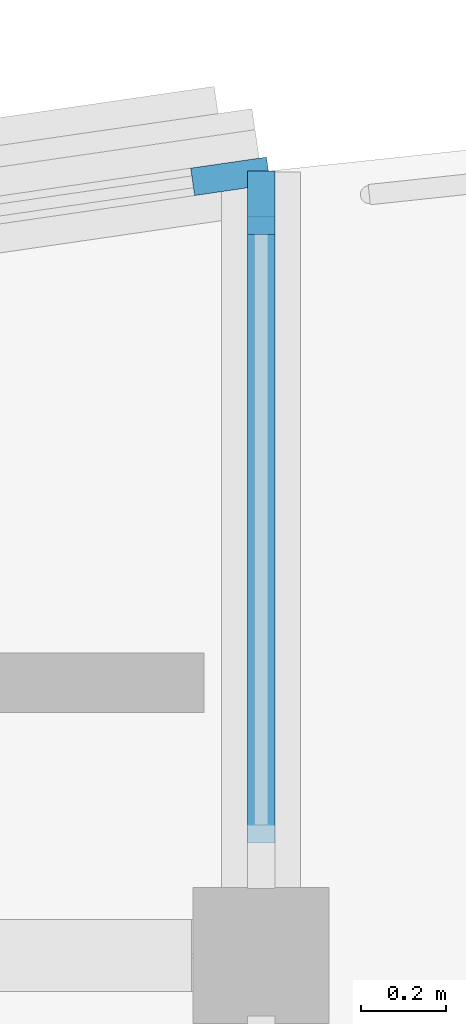
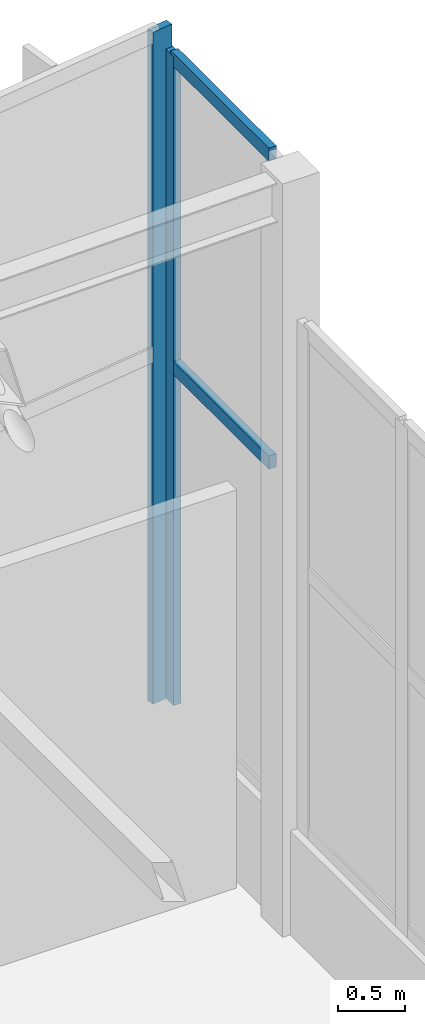
# One storey, part 13 of 33: 4 members, 2 elements without a shape of their own.
"""IFC4 building model written with IfcOpenShell, lengths in metres."""

from ifc_helpers import new_model, si_unit, direction, frame, origin, origin_2d, place, context, subcontext, project, spatial, rectangle, extrude, material, layer, layer_set, material_profile, profile_set, type_object, element, aggregate, save


model = new_model("IFC4")

# Units and contexts
model_context = context("Model", 3, precision=1e-05, world=origin(), true_north=direction((0.0, 1.0)))
body_context = subcontext(model_context, "Body", "Model", "MODEL_VIEW")
ifc_project = project(units=[si_unit("LENGTHUNIT", "METRE"), si_unit("AREAUNIT", "SQUARE_METRE"), si_unit("VOLUMEUNIT", "CUBIC_METRE"), si_unit("PLANEANGLEUNIT", "RADIAN"), si_unit("MASSUNIT", "GRAM", prefix="KILO")], contexts=[model_context])

# Site, building, storey
site_placement = place(None, origin())
site = spatial("IfcSite", under=ifc_project, at=site_placement, CompositionType="ELEMENT")
building_placement = place(site_placement, origin())
building = spatial("IfcBuilding", under=site, at=building_placement, Name="Tonlespit Floodbar School", CompositionType="ELEMENT")
storey_placement = place(building_placement, frame((0.0, 0.0, 16.199951171875)))
storey = spatial("IfcBuildingStorey", under=building, at=storey_placement, Name="L04", CompositionType="ELEMENT", Elevation=16.199951171875)

# Curtain wall, member
ifc_material = material(Name="Anodised Aluminium", Category="aluminium")
ifc_layer_1 = layer(ifc_material, 0.159912109375)
ifc_layer_set_1 = layer_set([ifc_layer_1], Name="Anodised Aluminium")
curtain_wall_type_1 = type_object("IfcCurtainWallType", Name="CurtainWall_1600x5950", PredefinedType="NOTDEFINED", material=ifc_layer_set_1)
curtain_wall_1_placement = place(storey_placement, origin())
curtain_wall_1 = element("IfcCurtainWall", 1, at=curtain_wall_1_placement, inside=storey, type_object=curtain_wall_type_1, Name="L04 unitised curtain wall 0490", PredefinedType="NOTDEFINED")
ifc_material_profile_1 = material_profile(ifc_material, rectangle(XDim=0.06494140625, YDim=0.14990234375, at=origin_2d()), Name="ALU M65x150")
ifc_profile_set_1 = profile_set([ifc_material_profile_1], Name="Anodised Aluminium")
member_type_1 = type_object("IfcMemberType", Name="CW_Mullion_65x150", PredefinedType="MULLION", material=ifc_profile_set_1)
member_1_placement = place(storey_placement, frame((148.0, 121.76904296875, 0.949951171875), z_axis=(0.0, 0.0, 1.0), x_axis=(1.0, 0.0, 0.0)))
member_1 = element("IfcMember", 2, at=member_1_placement, type_object=member_type_1, Name="CW-75 mullion 1", PredefinedType="MULLION", context=body_context, shape_type="SweptSolid", body=[
    extrude(rectangle(XDim=0.06494140625, YDim=0.14990234375, at=origin_2d()), origin(), (0.0, 0.0, 1.0), 5.936767578125),
])

ifc_layer_2 = layer(ifc_material, 0.159912109375)
ifc_layer_set_2 = layer_set([ifc_layer_2], Name="Anodised Aluminium")
curtain_wall_type_2 = type_object("IfcCurtainWallType", Name="CurtainWall_1950x6150", PredefinedType="NOTDEFINED", material=ifc_layer_set_2)
curtain_wall_2_placement = place(storey_placement, origin())
curtain_wall_2 = element("IfcCurtainWall", 3, at=curtain_wall_2_placement, inside=storey, type_object=curtain_wall_type_2, Name="L04 unitised curtain wall 0489", PredefinedType="NOTDEFINED")
ifc_material_profile_2 = material_profile(ifc_material, rectangle(XDim=0.06494140625, YDim=0.179931640625, at=origin_2d()), Name="ALU M65x180")
ifc_profile_set_2 = profile_set([ifc_material_profile_2], Name="Anodised Aluminium")
member_type_2 = type_object("IfcMemberType", Name="CW_Mullion_65x180", PredefinedType="MULLION", material=ifc_profile_set_2)
member_2_placement = place(storey_placement, frame((147.92822265625, 121.8310546875, 0.949951171875), z_axis=(0.0, 0.0, 1.0), x_axis=(-0.144248041079, 0.989541561858, 0.0)))
member_2 = element("IfcMember", 4, at=member_2_placement, type_object=member_type_2, Name="CW-74 mullion 2", PredefinedType="MULLION", context=body_context, shape_type="SweptSolid", body=[
    extrude(rectangle(XDim=0.06494140625, YDim=0.179931640625, at=origin_2d()), origin(), (0.0, 0.0, 1.0), 6.14404296875),
])
aggregate(curtain_wall_2, [member_2])

# Member
ifc_material_profile_3 = material_profile(ifc_material, rectangle(XDim=0.06494140625, YDim=0.1201171875, at=origin_2d()), Name="ALU T65x120")
ifc_profile_set_3 = profile_set([ifc_material_profile_3], Name="Anodised Aluminium")
member_type_3 = type_object("IfcMemberType", Name="CW_Transom_65x120", PredefinedType="USERDEFINED", material=ifc_profile_set_3)
member_3_placement = place(storey_placement, frame((148.0, 121.736572265625, 4.037109375), z_axis=(0.0, -1.0, 0.0), x_axis=(1.0, 0.0, 0.0)))
member_3 = element("IfcMember", 5, at=member_3_placement, type_object=member_type_3, Name="CW-75 transom 1.2", ObjectType="TRANSOM", PredefinedType="USERDEFINED", context=body_context, shape_type="SweptSolid", body=[
    extrude(rectangle(XDim=0.06494140625, YDim=0.1201171875, at=origin_2d()), origin(), (0.0, 0.0, 1.0), 1.4716796875),
])

member_4_placement = place(storey_placement, frame((148.0, 121.736572265625, 6.854248046875), z_axis=(0.0, -1.0, 0.0), x_axis=(1.0, 0.0, 0.0)))
member_4 = element("IfcMember", 6, at=member_4_placement, type_object=member_type_3, Name="CW-75 transom 1.3", ObjectType="TRANSOM", PredefinedType="USERDEFINED", context=body_context, shape_type="SweptSolid", body=[
    extrude(rectangle(XDim=0.06494140625, YDim=0.1201171875, at=origin_2d()), origin(), (0.0, 0.0, 1.0), 1.4716796875),
])

aggregate(curtain_wall_1, [member_1, member_3, member_4])

save(model, "model.ifc")
